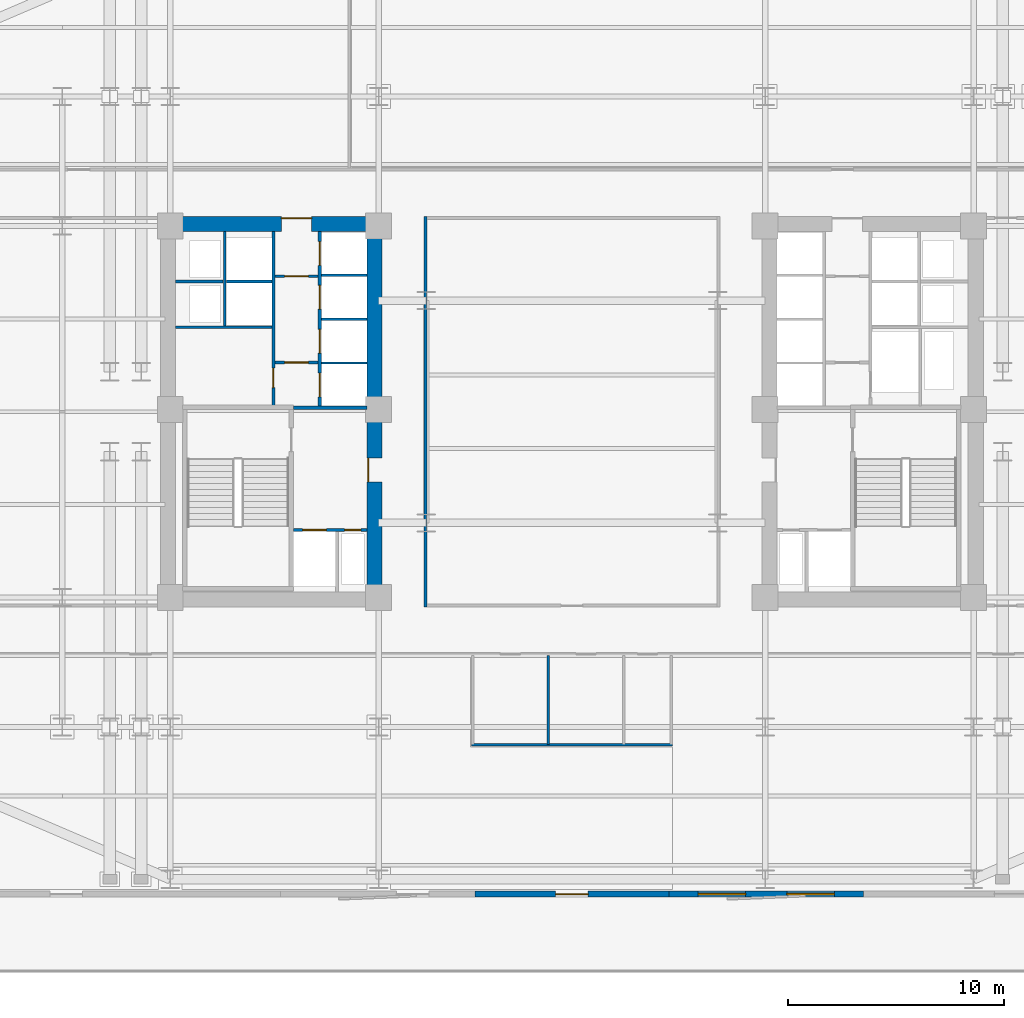
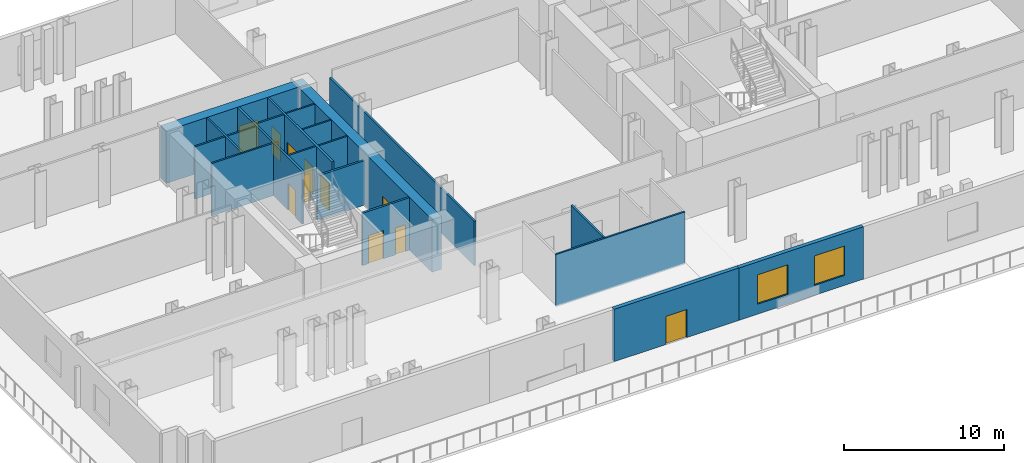
# One storey, part 6 of 14: 20 walls, 12 doors, 2 windows, 14 openings.
"""IFC4 building model written with IfcOpenShell, lengths in metres."""

import ifcopenshell
import ifcopenshell.guid

model = None  # the IFC model being written
_history = None  # IfcOwnerHistory: only IFC2X3 demands one
_inside = {}  # id of a spatial element -> (the spatial element, [elements in it])
_under = {}  # id of a project, library or spatial element -> (it, [spatial elements below it])
_declared = {}  # id of a project -> (the project, [libraries it declares])
_typed = {}  # id of a type object -> (the type object, [elements of that type])
_made_of = {}  # id of a material, layer set ... -> (it, [elements and type objects made of it])


def new_model(schema):
    """Start an empty IFC model of exactly this schema.

    Asked for "IFC4X3", IfcOpenShell would pick the latest addendum, in which some entities
    have other attributes; the version numbers below select the first issue.
    IFC2X3 requires an IfcOwnerHistory on every rooted entity: one is made here for all.
    """
    global model, _history
    if schema == "IFC4X3":
        model = ifcopenshell.file(schema_version=(4, 3, 0, 0))
    else:
        model = ifcopenshell.file(schema=schema)
    _inside.clear()
    _under.clear()
    _declared.clear()
    _typed.clear()
    _made_of.clear()
    _history = None
    if model.schema == "IFC2X3":
        org = make("IfcOrganization", Name="unknown")
        user = make(
            "IfcPersonAndOrganization",
            ThePerson=make("IfcPerson", FamilyName="unknown"),
            TheOrganization=org,
        )
        app = make(
            "IfcApplication",
            ApplicationDeveloper=org,
            Version="unknown",
            ApplicationFullName="unknown",
            ApplicationIdentifier="unknown",
        )
        _history = make(
            "IfcOwnerHistory",
            OwningUser=user,
            OwningApplication=app,
            ChangeAction="ADDED",
            CreationDate=0,
        )
    return model


def make(cls, **values):
    """One entity of the class cls with the attributes given. An attribute that is None is left unset."""
    return model.create_entity(
        cls, **{name: value for name, value in values.items() if value is not None}
    )


def rooted(cls, **values):
    """An entity with a GlobalId (a new one), such as an element, a storey or a relation."""
    return make(cls, GlobalId=ifcopenshell.guid.new(), OwnerHistory=_history, **values)


def si_unit(unit_type, name, prefix=None):
    """IfcSIUnit, for example si_unit("LENGTHUNIT", "METRE", prefix="MILLI")."""
    return make("IfcSIUnit", UnitType=unit_type, Prefix=prefix, Name=name)


def assignment(units):
    """IfcUnitAssignment: the units of a project."""
    return None if units is None else make("IfcUnitAssignment", Units=units)


def point(xyz):
    """IfcCartesianPoint."""
    return None if xyz is None else make("IfcCartesianPoint", Coordinates=xyz)


def direction(xyz):
    """IfcDirection."""
    return None if xyz is None else make("IfcDirection", DirectionRatios=xyz)


def frame(location, z_axis=None, x_axis=None):
    """IfcAxis2Placement3D, a coordinate frame: its origin and axes. An axis left out is left unset."""
    return make(
        "IfcAxis2Placement3D",
        Location=point(location),
        Axis=direction(z_axis),
        RefDirection=direction(x_axis),
    )


def frame_2d(location, x_axis=None):
    """IfcAxis2Placement2D, a coordinate frame in the plane: its origin and x axis."""
    return make(
        "IfcAxis2Placement2D", Location=point(location), RefDirection=direction(x_axis)
    )


def origin():
    """The frame at (0, 0, 0) with its axes left unset."""
    return frame((0.0, 0.0, 0.0))


def place(relative_to, where):
    """IfcLocalPlacement: puts the frame where relative to a parent placement (None: the world)."""
    return make(
        "IfcLocalPlacement", PlacementRelTo=relative_to, RelativePlacement=where
    )


def context(
    kind, dimensions, precision=None, world=None, true_north=None, identifier=None
):
    """IfcGeometricRepresentationContext, for example the 3D "Model" context."""
    return make(
        "IfcGeometricRepresentationContext",
        ContextIdentifier=identifier,
        ContextType=kind,
        CoordinateSpaceDimension=dimensions,
        Precision=precision,
        WorldCoordinateSystem=world,
        TrueNorth=true_north,
    )


def subcontext(parent, identifier, kind, view, scale=None):
    """IfcGeometricRepresentationSubContext, for example "Body" below "Model"."""
    return make(
        "IfcGeometricRepresentationSubContext",
        ContextIdentifier=identifier,
        ContextType=kind,
        ParentContext=parent,
        TargetScale=scale,
        TargetView=view,
    )


def project(units=None, contexts=None):
    """IfcProject with its units and contexts."""
    return rooted(
        "IfcProject",
        Name="project",
        RepresentationContexts=contexts,
        UnitsInContext=assignment(units),
    )


def spatial(cls, under=None, at=None, **own):
    """A site, building, storey or space (cls), placed at a placement, below another one or the project."""
    s = rooted(cls, ObjectPlacement=at, **own)
    if under is not None:
        _under.setdefault(under.id(), (under, []))[1].append(s)
    return s


def profile(cls, at=None, kind="AREA", **sizes):
    """A parametric profile (cls). Its sizes go by their IFC names, for example OverallWidth=200.0."""
    return make(cls, ProfileType=kind, Position=at, **sizes)


def rectangle(**sizes):
    """IfcRectangleProfileDef."""
    return profile("IfcRectangleProfileDef", **sizes)


def extrude(swept, where, along, depth):
    """IfcExtrudedAreaSolid: the profile swept, set in the frame where, extruded along a direction by depth."""
    return make(
        "IfcExtrudedAreaSolid",
        SweptArea=swept,
        Position=where,
        ExtrudedDirection=direction(along),
        Depth=depth,
    )


def shape(context_of_items, identifier, shape_type, items):
    """IfcShapeRepresentation: the items that make up one representation, for example the "Body"."""
    return make(
        "IfcShapeRepresentation",
        ContextOfItems=context_of_items,
        RepresentationIdentifier=identifier,
        RepresentationType=shape_type,
        Items=items,
    )


def material(Name=None, Category=None):
    """IfcMaterial."""
    return make("IfcMaterial", Name=Name, Category=Category)


def layer(
    of_material, thickness, ventilated=None, Name=None, Category=None, Priority=None
):
    """IfcMaterialLayer: one layer of a wall or slab, of a material (None: an air gap)."""
    return make(
        "IfcMaterialLayer",
        Material=of_material,
        LayerThickness=thickness,
        IsVentilated=ventilated,
        Name=Name,
        Category=Category,
        Priority=Priority,
    )


def layer_set(layers, Name=None):
    """IfcMaterialLayerSet."""
    return make("IfcMaterialLayerSet", MaterialLayers=layers, LayerSetName=Name)


def made_of(thing, what):
    """Note that an element or type object is made of a material, layer set ...; save() writes the relation."""
    if what is not None:
        _made_of.setdefault(what.id(), (what, []))[1].append(thing)
    return thing


def type_object(cls, material=None, **own):
    """A type object (cls), such as IfcWallType, which elements share."""
    return made_of(rooted(cls, **own), material)


def element(
    cls,
    number,
    at=None,
    inside=None,
    cuts=None,
    type_object=None,
    material=None,
    context=None,
    identifier="Body",
    shape_type=None,
    held_by="IfcProductDefinitionShape",
    body=None,
    shapes=None,
    **own,
):
    """One element of the class cls, such as IfcWall. Its Tag is "e" and its number.

    at: its placement. inside: the storey or other place that contains it. cuts: it is an
    opening in that element (IfcRelVoidsElement). A single representation is given by context,
    identifier, shape_type and body (its items); several are given by shapes. held_by: the class
    of the entity that holds the representations. save() writes the other relations.
    """
    e = rooted(cls, Tag="e%d" % number, ObjectPlacement=at, **own)
    if body is not None:
        shapes = [shape(context, identifier, shape_type, body)]
    if shapes is not None:
        e.Representation = make(held_by, Representations=shapes)
    if inside is not None:
        _inside.setdefault(inside.id(), (inside, []))[1].append(e)
    if cuts is not None:
        rooted(
            "IfcRelVoidsElement", RelatingBuildingElement=cuts, RelatedOpeningElement=e
        )
    if type_object is not None:
        _typed.setdefault(type_object.id(), (type_object, []))[1].append(e)
    return made_of(e, material)


def fill(opening, filler):
    """IfcRelFillsElement: the door or window that sits in an opening."""
    return rooted(
        "IfcRelFillsElement",
        RelatingOpeningElement=opening,
        RelatedBuildingElement=filler,
    )


def aggregate(whole, parts):
    """IfcRelAggregates: a whole, such as a stair, and the parts it consists of."""
    return rooted("IfcRelAggregates", RelatingObject=whole, RelatedObjects=parts)


def save(model, path):
    """Write the relations noted so far, then the file.

    IfcRelAggregates (storeys below a building ...), IfcRelContainedInSpatialStructure (elements
    in a storey), IfcRelDefinesByType, IfcRelAssociatesMaterial and IfcRelDeclares: one each for
    every whole, place, type object, material and project.
    """
    for whole, parts in _under.values():
        aggregate(whole, parts)
    for where, things in _inside.values():
        rooted(
            "IfcRelContainedInSpatialStructure",
            RelatedElements=things,
            RelatingStructure=where,
        )
    for kind, things in _typed.values():
        rooted("IfcRelDefinesByType", RelatedObjects=things, RelatingType=kind)
    for what, things in _made_of.values():
        rooted("IfcRelAssociatesMaterial", RelatedObjects=things, RelatingMaterial=what)
    for by, libraries in _declared.values():
        rooted("IfcRelDeclares", RelatingContext=by, RelatedDefinitions=libraries)
    model.write(path)


model = new_model("IFC4")

# Units and contexts
model_context = context("Model", 3, precision=1e-05, world=origin(), true_north=direction((0.0, 1.0)))
body_context = subcontext(model_context, "Body", "Model", "MODEL_VIEW")
ifc_project = project(units=[si_unit("LENGTHUNIT", "METRE"), si_unit("AREAUNIT", "SQUARE_METRE"), si_unit("VOLUMEUNIT", "CUBIC_METRE"), si_unit("PLANEANGLEUNIT", "RADIAN"), si_unit("MASSUNIT", "GRAM", prefix="KILO")], contexts=[model_context])

# Site, building, storey
site_placement = place(None, origin())
site = spatial("IfcSite", under=ifc_project, at=site_placement, CompositionType="ELEMENT")
building_placement = place(site_placement, origin())
building = spatial("IfcBuilding", under=site, at=building_placement, Name="Velakula Bourse", CompositionType="ELEMENT")
storey_placement = place(building_placement, frame((0.0, 0.0, 27.0)))
storey = spatial("IfcBuildingStorey", under=building, at=storey_placement, Name="L06", CompositionType="ELEMENT", Elevation=27.0)

# Wall, opening, door
ifc_material_1 = material(Name="Concrete M70 (fck 70 MPa)", Category="concrete")
ifc_layer_1 = layer(ifc_material_1, 0.699951171875, Name="Concrete M70 (fck 70 MPa)", Category="concrete")
ifc_layer_set_1 = layer_set([ifc_layer_1], Name="Concrete M70 (fck 70 MPa)")
wall_type_1 = type_object("IfcWallType", Name="WL-CORE-700", PredefinedType="SHEAR", material=ifc_layer_set_1)
wall_1_placement = place(storey_placement, frame((-19.050048828125, 8.699951171875, 0.0), z_axis=(0.0, 0.0, 1.0), x_axis=(1.0, 0.0, 0.0)))
wall_1 = element("IfcWall", 1, at=wall_1_placement, inside=storey, type_object=wall_type_1, Name="L06 Core W Shear Wall N", PredefinedType="SHEAR", context=body_context, shape_type="SweptSolid", body=[
    extrude(rectangle(XDim=10.25, YDim=0.699951171875, at=frame_2d((5.125, 0.0))), origin(), (0.0, 0.0, 1.0), 4.02001953125),
])
opening_1_placement = place(wall_1_placement, frame((5.60009765625, 0.0, 0.0)))
opening_1 = element("IfcOpeningElement", 2, at=opening_1_placement, cuts=wall_1, Name="Opening D-LLW", PredefinedType="OPENING", context=body_context, shape_type="SweptSolid", body=[
    extrude(rectangle(XDim=1.39990234375, YDim=2.050048828125, at=frame_2d((0.699951171875, 1.02490234375))), frame((0.0, 0.35986328125, 0.0), z_axis=(0.0, -1.0, 0.0), x_axis=(1.0, 0.0, 0.0)), (0.0, 0.0, 1.0), 0.719970703125),
])
ifc_material_2 = material(Name="Fire-rated hardwood flush architectural door", Category="wood")
door_type_1 = type_object("IfcDoorType", Name="DR-DBL-FD60-1400", OperationType="DOUBLE_DOOR_SINGLE_SWING", PredefinedType="DOOR", material=ifc_material_2)
door_1_placement = place(opening_1_placement, origin())
door_1 = element("IfcDoor", 3, at=door_1_placement, inside=storey, type_object=door_type_1, Name="L06 Core W Lift Lobby Corridor Double Door", OperationType="DOUBLE_DOOR_SINGLE_SWING", OverallHeight=2.050048828125, OverallWidth=1.39990234375, PredefinedType="DOOR", context=body_context, shape_type="SweptSolid", body=[
    extrude(rectangle(XDim=1.39990234375, YDim=2.050048828125, at=frame_2d((0.699951171875, 1.02490234375))), frame((0.0, 0.294921875, 0.0), z_axis=(0.0, -1.0, 0.0), x_axis=(1.0, 0.0, 0.0)), (0.0, 0.0, 1.0), 0.050048828125),
])
fill(opening_1, door_1)

wall_2_placement = place(storey_placement, frame((-9.14990234375, -8.35009765625, 0.0), z_axis=(0.0, 0.0, 1.0), x_axis=(0.0, 1.0, 0.0)))
wall_2 = element("IfcWall", 4, at=wall_2_placement, inside=storey, type_object=wall_type_1, Name="L06 Core W Shear Wall E", PredefinedType="SHEAR", context=body_context, shape_type="SweptSolid", body=[
    extrude(rectangle(XDim=16.7001953125, YDim=0.699951171875, at=frame_2d((8.35009765625, 0.0))), origin(), (0.0, 0.0, 1.0), 4.02001953125),
])
opening_2_placement = place(wall_2_placement, frame((5.10009765625, 0.0, 0.0)))
opening_2 = element("IfcOpeningElement", 5, at=opening_2_placement, cuts=wall_2, Name="Opening D-FLW", PredefinedType="OPENING", context=body_context, shape_type="SweptSolid", body=[
    extrude(rectangle(XDim=1.10009765625, YDim=2.080078125, at=frame_2d((0.550048828125, 1.0400390625))), frame((0.0, 0.35986328125, 0.0), z_axis=(0.0, -1.0, 0.0), x_axis=(1.0, 0.0, 0.0)), (0.0, 0.0, 1.0), 0.719970703125),
])
ifc_material_3 = material(Name="Galvanised painted hollow steel fire door", Category="steel")
door_type_2 = type_object("IfcDoorType", Name="DR-FD120-1100", OperationType="NOTDEFINED", PredefinedType="DOOR", material=ifc_material_3)
door_2_placement = place(opening_2_placement, origin())
door_2 = element("IfcDoor", 6, at=door_2_placement, inside=storey, type_object=door_type_2, Name="L06 Firefighting Lobby W Corridor Fire Door", OperationType="SINGLE_SWING_LEFT", OverallHeight=2.080078125, OverallWidth=1.10009765625, PredefinedType="DOOR", context=body_context, shape_type="SweptSolid", body=[
    extrude(rectangle(XDim=1.10009765625, YDim=2.080078125, at=frame_2d((0.550048828125, 1.0400390625))), frame((0.0, 0.30517578125, 0.0), z_axis=(0.0, -1.0, 0.0), x_axis=(1.0, 0.0, 0.0)), (0.0, 0.0, 1.0), 0.050048828125),
])
fill(opening_2, door_2)

ifc_material_4 = material(Name="Red kilned clay facing brick masonry", Category="masonry")
ifc_layer_2 = layer(ifc_material_4, 0.280029296875, Name="Red kilned clay facing brick masonry", Category="masonry")
ifc_layer_set_2 = layer_set([ifc_layer_2], Name="Red kilned clay facing brick masonry")
wall_type_2 = type_object("IfcWallType", Name="WL-EXT-BRK-280", PredefinedType="STANDARD", material=ifc_layer_set_2)
wall_3_placement = place(storey_placement, frame((4.5, -22.340087890625, 0.0), z_axis=(0.0, 0.0, 1.0), x_axis=(-1.0, 0.0, 0.0)))
wall_3 = element("IfcWall", 7, at=wall_3_placement, inside=storey, type_object=wall_type_2, Name="L06 S Brick Spandrel Wall B3", PredefinedType="STANDARD", context=body_context, shape_type="SweptSolid", body=[
    extrude(rectangle(XDim=9.0, YDim=0.280029296875, at=frame_2d((4.5, 0.0))), origin(), (0.0, 0.0, 1.0), 4.0),
])
opening_3_placement = place(wall_3_placement, frame((3.75, 0.0, 0.0)))
opening_3 = element("IfcOpeningElement", 8, at=opening_3_placement, cuts=wall_3, Name="Opening D-TR1", PredefinedType="OPENING", context=body_context, shape_type="SweptSolid", body=[
    extrude(rectangle(XDim=1.5, YDim=2.14990234375, at=frame_2d((0.75, 1.074951171875))), frame((0.0, 0.14990234375, 0.0), z_axis=(0.0, -1.0, 0.0), x_axis=(1.0, 0.0, 0.0)), (0.0, 0.0, 1.0), 0.300048828125),
])
ifc_material_5 = material(Name="Anodised bronze architectural aluminium", Category="aluminium")
door_type_3 = type_object("IfcDoorType", Name="DR-EXT-TERR-1500", OperationType="DOUBLE_DOOR_SINGLE_SWING", PredefinedType="DOOR", material=ifc_material_5)
door_3_placement = place(opening_3_placement, origin())
door_3 = element("IfcDoor", 9, at=door_3_placement, inside=storey, type_object=door_type_3, Name="L06 Sky-Garden Terrace Access Door 3", OperationType="DOUBLE_DOOR_SINGLE_SWING", OverallHeight=2.14990234375, OverallWidth=1.5, PredefinedType="DOOR", context=body_context, shape_type="SweptSolid", body=[
    extrude(rectangle(XDim=1.5, YDim=2.14990234375, at=frame_2d((0.75, 1.074951171875))), frame((0.0, 0.02490234375, 0.0), z_axis=(0.0, -1.0, 0.0), x_axis=(1.0, 0.0, 0.0)), (0.0, 0.0, 1.0), 0.050048828125),
])
fill(opening_3, door_3)

# Wall, openings, windows
wall_4_placement = place(storey_placement, frame((13.5, -22.340087890625, 0.0), z_axis=(0.0, 0.0, 1.0), x_axis=(-1.0, 0.0, 0.0)))
wall_4 = element("IfcWall", 10, at=wall_4_placement, inside=storey, type_object=wall_type_2, Name="L06 S Brick Spandrel Wall B4", PredefinedType="STANDARD", context=body_context, shape_type="SweptSolid", body=[
    extrude(rectangle(XDim=9.0, YDim=0.280029296875, at=frame_2d((4.5, 0.0))), origin(), (0.0, 0.0, 1.0), 4.0),
])
opening_4_placement = place(wall_4_placement, frame((1.35009765625, 0.0, 0.760009765625)))
opening_4 = element("IfcOpeningElement", 11, at=opening_4_placement, cuts=wall_4, Name="Opening W-08", PredefinedType="OPENING", context=body_context, shape_type="SweptSolid", body=[
    extrude(rectangle(XDim=2.199951171875, YDim=2.25, at=frame_2d((1.10009765625, 1.125))), frame((0.0, 0.14990234375, 0.0), z_axis=(0.0, -1.0, 0.0), x_axis=(1.0, 0.0, 0.0)), (0.0, 0.0, 1.0), 0.300048828125),
])
opening_5_placement = place(wall_4_placement, frame((5.449951171875, 0.0, 0.760009765625)))
opening_5 = element("IfcOpeningElement", 12, at=opening_5_placement, cuts=wall_4, Name="Opening W-08", PredefinedType="OPENING", context=body_context, shape_type="SweptSolid", body=[
    extrude(rectangle(XDim=2.199951171875, YDim=2.25, at=frame_2d((1.10009765625, 1.125))), frame((0.0, 0.14990234375, 0.0), z_axis=(0.0, -1.0, 0.0), x_axis=(1.0, 0.0, 0.0)), (0.0, 0.0, 1.0), 0.300048828125),
])
ifc_material_6 = material(Name="Double-glazed solar-control Low-E glass", Category="glass")
window_type = type_object("IfcWindowType", Name="WIN-SL-2200x2500", PartitioningType="DOUBLE_PANEL_VERTICAL", PredefinedType="WINDOW", material=ifc_material_6)
window_1_placement = place(opening_4_placement, origin())
window_1 = element("IfcWindow", 13, at=window_1_placement, inside=storey, type_object=window_type, Name="L06 Deep-Set Recessed Window 1", OverallHeight=2.25, OverallWidth=2.199951171875, PartitioningType="DOUBLE_PANEL_VERTICAL", PredefinedType="WINDOW", context=body_context, shape_type="SweptSolid", body=[
    extrude(rectangle(XDim=2.199951171875, YDim=2.25, at=frame_2d((1.10009765625, 1.125))), frame((0.0, 0.030029296875, 0.0), z_axis=(0.0, -1.0, 0.0), x_axis=(1.0, 0.0, 0.0)), (0.0, 0.0, 1.0), 0.06005859375),
])
fill(opening_4, window_1)
window_2_placement = place(opening_5_placement, origin())
window_2 = element("IfcWindow", 14, at=window_2_placement, inside=storey, type_object=window_type, Name="L06 Deep-Set Recessed Window 2", OverallHeight=2.25, OverallWidth=2.199951171875, PartitioningType="DOUBLE_PANEL_VERTICAL", PredefinedType="WINDOW", context=body_context, shape_type="SweptSolid", body=[
    extrude(rectangle(XDim=2.199951171875, YDim=2.25, at=frame_2d((1.10009765625, 1.125))), frame((0.0, 0.030029296875, 0.0), z_axis=(0.0, -1.0, 0.0), x_axis=(1.0, 0.0, 0.0)), (0.0, 0.0, 1.0), 0.06005859375),
])
fill(opening_5, window_2)

# Wall, opening, door
ifc_material_7 = material(Name="Fire-rated double-layer gypsum drywall partition", Category="gypsum")
ifc_layer_3 = layer(ifc_material_7, 0.1201171875, Name="Fire-rated double-layer gypsum drywall partition", Category="gypsum")
ifc_layer_set_3 = layer_set([ifc_layer_3], Name="Fire-rated double-layer gypsum drywall partition")
wall_type_3 = type_object("IfcWallType", Name="WL-PART-120", PredefinedType="STANDARD", material=ifc_layer_set_3)
wall_5_placement = place(storey_placement, frame((-13.75, 2.280029296875, 0.0), z_axis=(0.0, 0.0, 1.0), x_axis=(1.0, 0.0, 0.0)))
wall_5 = element("IfcWall", 15, at=wall_5_placement, inside=storey, type_object=wall_type_3, Name="L06 Interior Partition WL-CRW-L06-LL-K3A", PredefinedType="STANDARD", context=body_context, shape_type="SweptSolid", body=[
    extrude(rectangle(XDim=2.0, YDim=0.1201171875, at=frame_2d((1.0, 0.0))), origin(), (0.0, 0.0, 1.0), 4.0),
])
opening_6_placement = place(wall_5_placement, frame((0.449951171875, 0.0, 0.0)))
opening_6 = element("IfcOpeningElement", 16, at=opening_6_placement, cuts=wall_5, Name="Opening D-LK3", PredefinedType="OPENING", context=body_context, shape_type="SweptSolid", body=[
    extrude(rectangle(XDim=1.10009765625, YDim=2.10009765625, at=frame_2d((0.550048828125, 1.050048828125))), frame((0.0, 0.070068359375, 0.0), z_axis=(0.0, -1.0, 0.0), x_axis=(1.0, 0.0, 0.0)), (0.0, 0.0, 1.0), 0.14013671875),
])
door_type_4 = type_object("IfcDoorType", Name="DR-FD60-1100x2100", OperationType="NOTDEFINED", PredefinedType="DOOR", material=ifc_material_2)
door_4_placement = place(opening_6_placement, origin())
door_4 = element("IfcDoor", 17, at=door_4_placement, inside=storey, type_object=door_type_4, Name="L06 Core W Lift Lobby Vestibule Door A", OperationType="SINGLE_SWING_RIGHT", OverallHeight=2.10009765625, OverallWidth=1.10009765625, PredefinedType="DOOR", context=body_context, shape_type="SweptSolid", body=[
    extrude(rectangle(XDim=1.10009765625, YDim=2.10009765625, at=frame_2d((0.550048828125, 1.050048828125))), frame((0.0, 0.02490234375, 0.0), z_axis=(0.0, -1.0, 0.0), x_axis=(1.0, 0.0, 0.0)), (0.0, 0.0, 1.0), 0.050048828125),
])
fill(opening_6, door_4)

wall_6_placement = place(storey_placement, frame((-13.75, 6.280029296875, 0.0), z_axis=(0.0, 0.0, 1.0), x_axis=(1.0, 0.0, 0.0)))
wall_6 = element("IfcWall", 18, at=wall_6_placement, inside=storey, type_object=wall_type_3, Name="L06 Interior Partition WL-CRW-L06-LL-K3B", PredefinedType="STANDARD", context=body_context, shape_type="SweptSolid", body=[
    extrude(rectangle(XDim=2.0, YDim=0.1201171875, at=frame_2d((1.0, 0.0))), origin(), (0.0, 0.0, 1.0), 4.0),
])
opening_7_placement = place(wall_6_placement, frame((0.449951171875, 0.0, 0.0)))
opening_7 = element("IfcOpeningElement", 19, at=opening_7_placement, cuts=wall_6, Name="Opening D-LK3", PredefinedType="OPENING", context=body_context, shape_type="SweptSolid", body=[
    extrude(rectangle(XDim=1.10009765625, YDim=2.10009765625, at=frame_2d((0.550048828125, 1.050048828125))), frame((0.0, 0.070068359375, 0.0), z_axis=(0.0, -1.0, 0.0), x_axis=(1.0, 0.0, 0.0)), (0.0, 0.0, 1.0), 0.14013671875),
])
door_5_placement = place(opening_7_placement, origin())
door_5 = element("IfcDoor", 20, at=door_5_placement, inside=storey, type_object=door_type_4, Name="L06 Core W Lift Lobby Vestibule Door B", OperationType="SINGLE_SWING_RIGHT", OverallHeight=2.10009765625, OverallWidth=1.10009765625, PredefinedType="DOOR", context=body_context, shape_type="SweptSolid", body=[
    extrude(rectangle(XDim=1.10009765625, YDim=2.10009765625, at=frame_2d((0.550048828125, 1.050048828125))), frame((0.0, 0.02490234375, 0.0), z_axis=(0.0, -1.0, 0.0), x_axis=(1.0, 0.0, 0.0)), (0.0, 0.0, 1.0), 0.050048828125),
])
fill(opening_7, door_5)

# Walls
for number, where, z_axis, x_axis, name in (
    (21, (-11.60009765625, 2.2548828125, 0.0), (0.0, 0.0, 1.0), (1.0, 0.0, 0.0), "L06 Interior Partition WL-CRW-L06-BDIV-0"),
    (22, (-11.60009765625, 4.284912109375, 0.0), (0.0, 0.0, 1.0), (1.0, 0.0, 0.0), "L06 Interior Partition WL-CRW-L06-BDIV-1"),
    (23, (-11.60009765625, 6.31494140625, 0.0), (0.0, 0.0, 1.0), (1.0, 0.0, 0.0), "L06 Interior Partition WL-CRW-L06-BDIV-2"),
):
    element("IfcWall", number, at=place(storey_placement, frame(where, z_axis=z_axis, x_axis=x_axis)), inside=storey, type_object=wall_type_3, Name=name, PredefinedType="STANDARD", context=body_context, shape_type="SweptSolid", body=[
        extrude(rectangle(XDim=2.10009765625, YDim=0.110107421875, at=frame_2d((1.050048828125, 0.0))), origin(), (0.0, 0.0, 1.0), 4.0),
    ])
wall_7_placement = place(storey_placement, frame((-18.35009765625, 3.919921875, 0.0), z_axis=(0.0, 0.0, 1.0), x_axis=(1.0, 0.0, 0.0)))
element("IfcWall", 24, at=wall_7_placement, inside=storey, type_object=wall_type_3, Name="L06 Interior Partition WL-CRW-L06-HI-S", PredefinedType="STANDARD", context=body_context, shape_type="SweptSolid", body=[
    extrude(rectangle(XDim=4.4501953125, YDim=0.1201171875, at=frame_2d((2.22509765625, 0.0))), origin(), (0.0, 0.0, 1.0), 4.0),
])
wall_8_placement = place(storey_placement, frame((-18.35009765625, 6.030029296875, 0.0), z_axis=(0.0, 0.0, 1.0), x_axis=(1.0, 0.0, 0.0)))
element("IfcWall", 25, at=wall_8_placement, inside=storey, type_object=wall_type_3, Name="L06 Interior Partition WL-CRW-L06-RIS-MID", PredefinedType="STANDARD", context=body_context, shape_type="SweptSolid", body=[
    extrude(rectangle(XDim=2.2001953125, YDim=0.1201171875, at=frame_2d((1.10009765625, 0.0))), origin(), (0.0, 0.0, 1.0), 4.0),
])
wall_9_placement = place(storey_placement, frame((-16.074951171875, 3.97998046875, 0.0), z_axis=(0.0, 0.0, 1.0), x_axis=(0.0, 1.0, 0.0)))
element("IfcWall", 26, at=wall_9_placement, inside=storey, type_object=wall_type_3, Name="L06 Interior Partition WL-CRW-L06-RIS-F", PredefinedType="STANDARD", context=body_context, shape_type="SweptSolid", body=[
    extrude(rectangle(XDim=4.3701171875, YDim=0.1201171875, at=frame_2d((2.18505859375, 0.0))), origin(), (0.0, 0.0, 1.0), 4.0),
])
wall_10_placement = place(storey_placement, frame((-16.0, 6.030029296875, 0.0), z_axis=(0.0, 0.0, 1.0), x_axis=(1.0, 0.0, 0.0)))
element("IfcWall", 27, at=wall_10_placement, inside=storey, type_object=wall_type_3, Name="L06 Interior Partition WL-CRW-L06-HI-DIV", PredefinedType="STANDARD", context=body_context, shape_type="SweptSolid", body=[
    extrude(rectangle(XDim=2.10009765625, YDim=0.1201171875, at=frame_2d((1.050048828125, 0.0))), origin(), (0.0, 0.0, 1.0), 4.0),
])
wall_11_placement = place(storey_placement, frame((-4.659912109375, -15.419921875, 0.0), z_axis=(0.0, 0.0, 1.0), x_axis=(1.0, 0.0, 0.0)))
element("IfcWall", 28, at=wall_11_placement, inside=storey, type_object=wall_type_3, Name="L06 Interior Partition WL-WC-L06-BACK", PredefinedType="STANDARD", context=body_context, shape_type="SweptSolid", body=[
    extrude(rectangle(XDim=9.31982421875, YDim=0.1201171875, at=frame_2d((4.659912109375, 0.0))), origin(), (0.0, 0.0, 1.0), 4.0),
])
wall_12_placement = place(storey_placement, frame((-1.10009765625, -15.419921875, 0.0), z_axis=(0.0, 0.0, 1.0), x_axis=(0.0, 1.0, 0.0)))
element("IfcWall", 29, at=wall_12_placement, inside=storey, type_object=wall_type_3, Name="L06 Interior Partition WL-WC-L06-V2", PredefinedType="STANDARD", context=body_context, shape_type="SweptSolid", body=[
    extrude(rectangle(XDim=4.1298828125, YDim=0.1201171875, at=frame_2d((2.06494140625, 0.0))), origin(), (0.0, 0.0, 1.0), 4.0),
])
ifc_layer_4 = layer(ifc_material_7, 0.139892578125, Name="Fire-rated double-layer gypsum drywall partition", Category="gypsum")
ifc_layer_set_4 = layer_set([ifc_layer_4], Name="Fire-rated double-layer gypsum drywall partition")
wall_type_4 = type_object("IfcWallType", Name="WL-PART-140", PredefinedType="STANDARD", material=ifc_layer_set_4)
wall_13_placement = place(storey_placement, frame((-6.780029296875, -9.050048828125, 0.0), z_axis=(0.0, 0.0, 1.0), x_axis=(0.0, 1.0, 0.0)))
element("IfcWall", 30, at=wall_13_placement, inside=storey, type_object=wall_type_4, Name="L06 Interior Partition WL-INT-L06-MID-W", PredefinedType="STANDARD", context=body_context, shape_type="SweptSolid", body=[
    extrude(rectangle(XDim=18.10009765625, YDim=0.139892578125, at=frame_2d((9.050048828125, 0.0))), origin(), (0.0, 0.0, 1.0), 3.39501953125),
])

# Wall, openings, doors
ifc_material_8 = material(Name="Autoclaved aerated concrete blockwork masonry", Category="masonry")
ifc_layer_5 = layer(ifc_material_8, 0.14990234375, Name="Autoclaved aerated concrete blockwork masonry", Category="masonry")
ifc_layer_set_5 = layer_set([ifc_layer_5], Name="Autoclaved aerated concrete blockwork masonry")
wall_type_5 = type_object("IfcWallType", Name="WL-SHAFT-150", PredefinedType="STANDARD", material=ifc_layer_set_5)
wall_14_placement = place(storey_placement, frame((-12.89501953125, -5.47509765625, 0.0), z_axis=(0.0, 0.0, 1.0), x_axis=(1.0, 0.0, 0.0)))
wall_14 = element("IfcWall", 31, at=wall_14_placement, inside=storey, type_object=wall_type_5, Name="L06 Interior Partition WL-CRW-L06-FFL-N", PredefinedType="STANDARD", context=body_context, shape_type="SweptSolid", body=[
    extrude(rectangle(XDim=3.39501953125, YDim=0.14990234375, at=frame_2d((1.697509765625, 0.0))), origin(), (0.0, 0.0, 1.0), 4.0),
])
opening_8_placement = place(wall_14_placement, frame((0.419921875, 0.0, 0.0)))
opening_8 = element("IfcOpeningElement", 32, at=opening_8_placement, cuts=wall_14, Name="Opening LD-FFL-1", PredefinedType="OPENING", context=body_context, shape_type="SweptSolid", body=[
    extrude(rectangle(XDim=1.10009765625, YDim=2.14990234375, at=frame_2d((0.550048828125, 1.074951171875))), frame((0.0, 0.0849609375, 0.0), z_axis=(0.0, -1.0, 0.0), x_axis=(1.0, 0.0, 0.0)), (0.0, 0.0, 1.0), 0.169921875),
])
opening_9_placement = place(wall_14_placement, frame((2.3701171875, 0.0, 0.0)))
opening_9 = element("IfcOpeningElement", 33, at=opening_9_placement, cuts=wall_14, Name="Opening D-RS1", PredefinedType="OPENING", context=body_context, shape_type="SweptSolid", body=[
    extrude(rectangle(XDim=0.75, YDim=2.050048828125, at=frame_2d((0.375, 1.02490234375))), frame((0.0, 0.0849609375, 0.0), z_axis=(0.0, -1.0, 0.0), x_axis=(1.0, 0.0, 0.0)), (0.0, 0.0, 1.0), 0.169921875),
])
door_type_5 = type_object("IfcDoorType", Name="DR-RISER-800", OperationType="NOTDEFINED", PredefinedType="DOOR", material=ifc_material_3)
door_6_placement = place(opening_9_placement, origin())
door_6 = element("IfcDoor", 34, at=door_6_placement, inside=storey, type_object=door_type_5, Name="L06 Fire Riser Access Door", OperationType="SINGLE_SWING_LEFT", OverallHeight=2.050048828125, OverallWidth=0.75, PredefinedType="DOOR", context=body_context, shape_type="SweptSolid", body=[
    extrude(rectangle(XDim=0.75, YDim=2.050048828125, at=frame_2d((0.375, 1.02490234375))), frame((0.0, 0.02490234375, 0.0), z_axis=(0.0, -1.0, 0.0), x_axis=(1.0, 0.0, 0.0)), (0.0, 0.0, 1.0), 0.050048828125),
])
fill(opening_9, door_6)
ifc_material_9 = material(Name="Brushed grade 316 stainless steel", Category="steel")
door_type_6 = type_object("IfcDoorType", Name="DR-SLIDE-FFL-1100", OperationType="DOUBLE_DOOR_SLIDING", PredefinedType="DOOR", material=ifc_material_9)
door_7_placement = place(opening_8_placement, origin())
door_7 = element("IfcDoor", 35, at=door_7_placement, inside=storey, type_object=door_type_6, Name="L06 Firefighting Lift FFL-1 Sliding Landing Door", OperationType="DOUBLE_DOOR_SLIDING", OverallHeight=2.14990234375, OverallWidth=1.10009765625, PredefinedType="DOOR", context=body_context, shape_type="SweptSolid", body=[
    extrude(rectangle(XDim=1.10009765625, YDim=2.14990234375, at=frame_2d((0.550048828125, 1.074951171875))), frame((0.0, 0.02490234375, 0.0), z_axis=(0.0, -1.0, 0.0), x_axis=(1.0, 0.0, 0.0)), (0.0, 0.0, 1.0), 0.050048828125),
])
fill(opening_8, door_7)

# Wall
wall_15_placement = place(storey_placement, frame((-12.889892578125, 0.18994140625, 0.0), z_axis=(0.0, 0.0, 1.0), x_axis=(1.0, 0.0, 0.0)))
element("IfcWall", 36, at=wall_15_placement, inside=storey, type_object=wall_type_5, Name="L06 Interior Partition WL-CRW-L06-FF-TOP", PredefinedType="STANDARD", context=body_context, shape_type="SweptSolid", body=[
    extrude(rectangle(XDim=3.389892578125, YDim=0.14990234375, at=frame_2d((1.69482421875, 0.0))), origin(), (0.0, 0.0, 1.0), 3.39501953125),
])

# Wall, openings, doors
wall_16_placement = place(storey_placement, frame((-11.675048828125, 0.27001953125, 0.0), z_axis=(0.0, 0.0, 1.0), x_axis=(0.0, 1.0, 0.0)))
wall_16 = element("IfcWall", 37, at=wall_16_placement, inside=storey, type_object=wall_type_5, Name="L06 Interior Partition WL-CRW-L06-BANK-F", PredefinedType="STANDARD", context=body_context, shape_type="SweptSolid", body=[
    extrude(rectangle(XDim=8.080078125, YDim=0.14990234375, at=frame_2d((4.0400390625, 0.0))), origin(), (0.0, 0.0, 1.0), 4.0),
])
opening_10_placement = place(wall_16_placement, frame((0.419921875, 0.0, 0.0)))
opening_10 = element("IfcOpeningElement", 38, at=opening_10_placement, cuts=wall_16, Name="Opening LD-P1", PredefinedType="OPENING", context=body_context, shape_type="SweptSolid", body=[
    extrude(rectangle(XDim=1.10009765625, YDim=2.10009765625, at=frame_2d((0.550048828125, 1.050048828125))), frame((0.0, 0.0849609375, 0.0), z_axis=(0.0, -1.0, 0.0), x_axis=(1.0, 0.0, 0.0)), (0.0, 0.0, 1.0), 0.169921875),
])
opening_11_placement = place(wall_16_placement, frame((2.449951171875, 0.0, 0.0)))
opening_11 = element("IfcOpeningElement", 39, at=opening_11_placement, cuts=wall_16, Name="Opening LD-P2", PredefinedType="OPENING", context=body_context, shape_type="SweptSolid", body=[
    extrude(rectangle(XDim=1.10009765625, YDim=2.10009765625, at=frame_2d((0.550048828125, 1.050048828125))), frame((0.0, 0.0849609375, 0.0), z_axis=(0.0, -1.0, 0.0), x_axis=(1.0, 0.0, 0.0)), (0.0, 0.0, 1.0), 0.169921875),
])
opening_12_placement = place(wall_16_placement, frame((4.47998046875, 0.0, 0.0)))
opening_12 = element("IfcOpeningElement", 40, at=opening_12_placement, cuts=wall_16, Name="Opening LD-P3", PredefinedType="OPENING", context=body_context, shape_type="SweptSolid", body=[
    extrude(rectangle(XDim=1.10009765625, YDim=2.10009765625, at=frame_2d((0.550048828125, 1.050048828125))), frame((0.0, 0.0849609375, 0.0), z_axis=(0.0, -1.0, 0.0), x_axis=(1.0, 0.0, 0.0)), (0.0, 0.0, 1.0), 0.169921875),
])
opening_13_placement = place(wall_16_placement, frame((6.510009765625, 0.0, 0.0)))
opening_13 = element("IfcOpeningElement", 41, at=opening_13_placement, cuts=wall_16, Name="Opening LD-P4", PredefinedType="OPENING", context=body_context, shape_type="SweptSolid", body=[
    extrude(rectangle(XDim=1.10009765625, YDim=2.10009765625, at=frame_2d((0.550048828125, 1.050048828125))), frame((0.0, 0.0849609375, 0.0), z_axis=(0.0, -1.0, 0.0), x_axis=(1.0, 0.0, 0.0)), (0.0, 0.0, 1.0), 0.169921875),
])
door_type_7 = type_object("IfcDoorType", Name="DR-SLIDE-LD-1100", OperationType="DOUBLE_DOOR_SLIDING", PredefinedType="DOOR", material=ifc_material_9)
door_8_placement = place(opening_10_placement, origin())
door_8 = element("IfcDoor", 42, at=door_8_placement, inside=storey, type_object=door_type_7, Name="L06 Passenger Lift P1 Sliding Landing Door", OperationType="DOUBLE_DOOR_SLIDING", OverallHeight=2.10009765625, OverallWidth=1.10009765625, PredefinedType="DOOR", context=body_context, shape_type="SweptSolid", body=[
    extrude(rectangle(XDim=1.10009765625, YDim=2.10009765625, at=frame_2d((0.550048828125, 1.050048828125))), frame((0.0, 0.02490234375, 0.0), z_axis=(0.0, -1.0, 0.0), x_axis=(1.0, 0.0, 0.0)), (0.0, 0.0, 1.0), 0.050048828125),
])
fill(opening_10, door_8)
door_9_placement = place(opening_11_placement, origin())
door_9 = element("IfcDoor", 43, at=door_9_placement, inside=storey, type_object=door_type_7, Name="L06 Passenger Lift P2 Sliding Landing Door", OperationType="DOUBLE_DOOR_SLIDING", OverallHeight=2.10009765625, OverallWidth=1.10009765625, PredefinedType="DOOR", context=body_context, shape_type="SweptSolid", body=[
    extrude(rectangle(XDim=1.10009765625, YDim=2.10009765625, at=frame_2d((0.550048828125, 1.050048828125))), frame((0.0, 0.02490234375, 0.0), z_axis=(0.0, -1.0, 0.0), x_axis=(1.0, 0.0, 0.0)), (0.0, 0.0, 1.0), 0.050048828125),
])
fill(opening_11, door_9)
door_10_placement = place(opening_12_placement, origin())
door_10 = element("IfcDoor", 44, at=door_10_placement, inside=storey, type_object=door_type_7, Name="L06 Passenger Lift P3 Sliding Landing Door", OperationType="DOUBLE_DOOR_SLIDING", OverallHeight=2.10009765625, OverallWidth=1.10009765625, PredefinedType="DOOR", context=body_context, shape_type="SweptSolid", body=[
    extrude(rectangle(XDim=1.10009765625, YDim=2.10009765625, at=frame_2d((0.550048828125, 1.050048828125))), frame((0.0, 0.02490234375, 0.0), z_axis=(0.0, -1.0, 0.0), x_axis=(1.0, 0.0, 0.0)), (0.0, 0.0, 1.0), 0.050048828125),
])
fill(opening_12, door_10)
door_11_placement = place(opening_13_placement, origin())
door_11 = element("IfcDoor", 45, at=door_11_placement, inside=storey, type_object=door_type_7, Name="L06 Passenger Lift P4 Sliding Landing Door", OperationType="DOUBLE_DOOR_SLIDING", OverallHeight=2.10009765625, OverallWidth=1.10009765625, PredefinedType="DOOR", context=body_context, shape_type="SweptSolid", body=[
    extrude(rectangle(XDim=1.10009765625, YDim=2.10009765625, at=frame_2d((0.550048828125, 1.050048828125))), frame((0.0, 0.02490234375, 0.0), z_axis=(0.0, -1.0, 0.0), x_axis=(1.0, 0.0, 0.0)), (0.0, 0.0, 1.0), 0.050048828125),
])
fill(opening_13, door_11)

# Wall, opening, door
wall_17_placement = place(storey_placement, frame((-13.824951171875, 0.27001953125, 0.0), z_axis=(0.0, 0.0, 1.0), x_axis=(0.0, 1.0, 0.0)))
wall_17 = element("IfcWall", 46, at=wall_17_placement, inside=storey, type_object=wall_type_5, Name="L06 Interior Partition WL-CRW-L06-OUT-F", PredefinedType="STANDARD", context=body_context, shape_type="SweptSolid", body=[
    extrude(rectangle(XDim=8.080078125, YDim=0.14990234375, at=frame_2d((4.0400390625, 0.0))), origin(), (0.0, 0.0, 1.0), 4.0),
])
opening_14_placement = place(wall_17_placement, frame((0.85009765625, 0.0, 0.0)))
opening_14 = element("IfcOpeningElement", 47, at=opening_14_placement, cuts=wall_17, Name="Opening D-CR3", PredefinedType="OPENING", context=body_context, shape_type="SweptSolid", body=[
    extrude(rectangle(XDim=0.89990234375, YDim=2.050048828125, at=frame_2d((0.449951171875, 1.02490234375))), frame((0.0, 0.0849609375, 0.0), z_axis=(0.0, -1.0, 0.0), x_axis=(1.0, 0.0, 0.0)), (0.0, 0.0, 1.0), 0.169921875),
])
door_type_8 = type_object("IfcDoorType", Name="DR-INT-900", OperationType="NOTDEFINED", PredefinedType="DOOR", material=ifc_material_2)
door_12_placement = place(opening_14_placement, origin())
door_12 = element("IfcDoor", 48, at=door_12_placement, inside=storey, type_object=door_type_8, Name="L06 Core Stationery and Mail Room Door", OperationType="SINGLE_SWING_RIGHT", OverallHeight=2.050048828125, OverallWidth=0.89990234375, PredefinedType="DOOR", context=body_context, shape_type="SweptSolid", body=[
    extrude(rectangle(XDim=0.89990234375, YDim=2.050048828125, at=frame_2d((0.449951171875, 1.02490234375))), frame((0.0, 0.02490234375, 0.0), z_axis=(0.0, -1.0, 0.0), x_axis=(1.0, 0.0, 0.0)), (0.0, 0.0, 1.0), 0.050048828125),
])
fill(opening_14, door_12)

save(model, "model.ifc")
